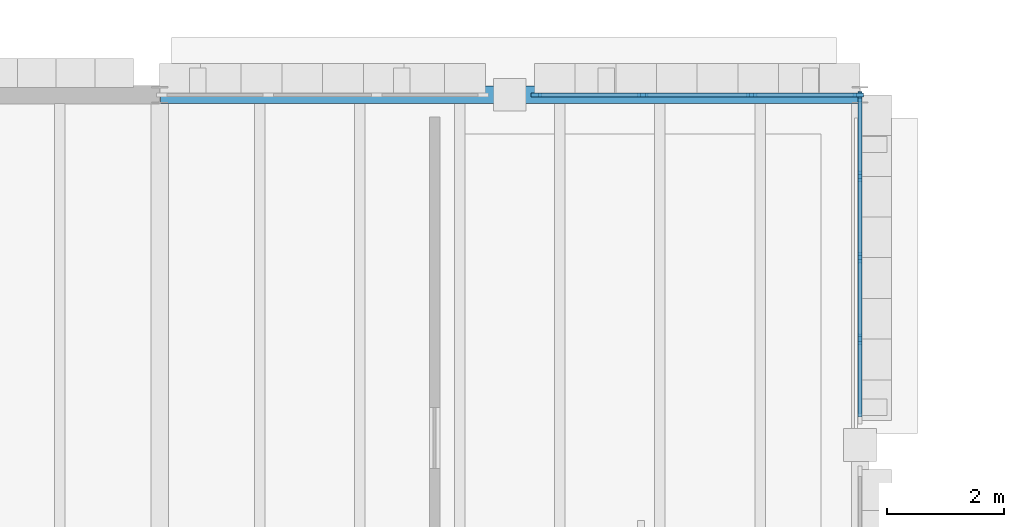
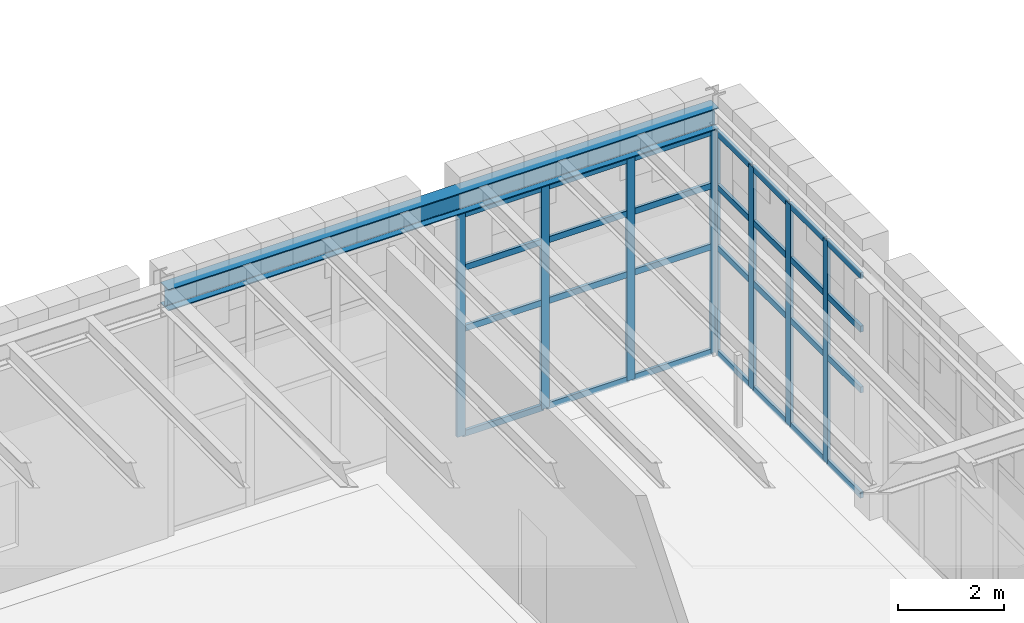
# One storey, part 34 of 83: 36 members, 1 beam, 2 elements without a shape of their own.
"""IFC4 building model written with IfcOpenShell, lengths in metres."""

from ifc_helpers import new_model, si_unit, direction, frame, origin, origin_2d, place, context, subcontext, project, spatial, rectangle, i_section, extrude, material, layer, layer_set, material_profile, profile_set, type_object, element, aggregate, save


model = new_model("IFC4")

# Units and contexts
model_context = context("Model", 3, precision=1e-05, world=origin(), true_north=direction((0.0, 1.0)))
body_context = subcontext(model_context, "Body", "Model", "MODEL_VIEW")
ifc_project = project(units=[si_unit("LENGTHUNIT", "METRE"), si_unit("AREAUNIT", "SQUARE_METRE"), si_unit("VOLUMEUNIT", "CUBIC_METRE"), si_unit("PLANEANGLEUNIT", "RADIAN"), si_unit("MASSUNIT", "GRAM", prefix="KILO")], contexts=[model_context])

# Site, building, storey
site_placement = place(None, origin())
site = spatial("IfcSite", under=ifc_project, at=site_placement, CompositionType="ELEMENT")
building_placement = place(site_placement, origin())
building = spatial("IfcBuilding", under=site, at=building_placement, Name="Zlatogorsky Bluff Art Gallery", CompositionType="ELEMENT")
storey_placement = place(building_placement, frame((0.0, 0.0, 10.800048828125)))
storey = spatial("IfcBuildingStorey", under=building, at=storey_placement, Name="L02", CompositionType="ELEMENT", Elevation=10.800048828125)

# Beam
ifc_material_1 = material(Name="Steel S355", Category="steel")
ifc_material_profile_1 = material_profile(ifc_material_1, i_section(OverallWidth=0.300048828125, OverallDepth=0.489990234375, WebThickness=0.011962890625, FlangeThickness=0.02294921875, FilletRadius=0.027099609375, at=origin_2d()), Name="HEA 500")
ifc_profile_set_1 = profile_set([ifc_material_profile_1], Name="Steel S355")
beam_type = type_object("IfcBeamType", Name="Beam BM-07 HEA 500", PredefinedType="BEAM", material=ifc_profile_set_1)
beam_placement = place(storey_placement, frame((144.014892578125, 108.0, 5.445068359375), z_axis=(1.0, 0.0, 0.0), x_axis=(0.0, 1.0, 0.0)))
element("IfcBeam", 1, at=beam_placement, inside=storey, type_object=beam_type, Name="Primary girder BM-07 L02 N-P/11", PredefinedType="BEAM", context=body_context, shape_type="SweptSolid", body=[
    extrude(i_section(OverallWidth=0.300048828125, OverallDepth=0.489990234375, WebThickness=0.011962890625, FlangeThickness=0.02294921875, FilletRadius=0.027099609375, at=origin_2d()), origin(), (0.0, 0.0, 1.0), 11.97021484375),
])

# Curtain wall, members
ifc_material_2 = material(Name="Anodised Bronze Aluminium and Low-Iron Triple Glazing", Category="aluminium")
ifc_layer_1 = layer(ifc_material_2, 0.219970703125)
ifc_layer_set_1 = layer_set([ifc_layer_1], Name="Curtain Wall CW-04")
curtain_wall_type_1 = type_object("IfcCurtainWallType", Name="Curtain Wall CW-04", PredefinedType="USERDEFINED", material=ifc_layer_set_1)
curtain_wall_1_placement = place(storey_placement, origin())
curtain_wall_1 = element("IfcCurtainWall", 2, at=curtain_wall_1_placement, inside=storey, type_object=curtain_wall_type_1, Name="Unitised curtain wall CW-04 L02 N 12.9-A", ObjectType="CURTAIN WALL", PredefinedType="USERDEFINED")
ifc_material_3 = material(Name="Anodised Bronze Aluminium", Category="aluminium")
ifc_material_profile_2 = material_profile(ifc_material_3, rectangle(XDim=0.06494140625, YDim=0.179931640625, at=origin_2d()), Name="ALU MULLION 65x180")
ifc_profile_set_2 = profile_set([ifc_material_profile_2], Name="Anodised Bronze Aluminium")
member_type_1 = type_object("IfcMemberType", Name="Curtain Mullion ML-01", PredefinedType="MULLION", material=ifc_profile_set_2)
member_1_placement = place(storey_placement, frame((155.967529296875, 108.0, 0.0), z_axis=(0.0, 0.0, 1.0), x_axis=(0.0, -1.0, 0.0)))
member_1 = element("IfcMember", 3, at=member_1_placement, type_object=member_type_1, Name="CW-04 mullion 1", PredefinedType="MULLION", context=body_context, shape_type="SweptSolid", body=[
    extrude(rectangle(XDim=0.06494140625, YDim=0.179931640625, at=origin_2d()), origin(), (0.0, 0.0, 1.0), 5.10986328125),
])
member_2_placement = place(storey_placement, frame((154.139892578125, 108.0, 0.0), z_axis=(0.0, 0.0, 1.0), x_axis=(0.0, -1.0, 0.0)))
member_2 = element("IfcMember", 4, at=member_2_placement, type_object=member_type_1, Name="CW-04 mullion 2", PredefinedType="MULLION", context=body_context, shape_type="SweptSolid", body=[
    extrude(rectangle(XDim=0.06494140625, YDim=0.179931640625, at=origin_2d()), origin(), (0.0, 0.0, 1.0), 5.10986328125),
])
member_3_placement = place(storey_placement, frame((152.280029296875, 108.0, 0.0), z_axis=(0.0, 0.0, 1.0), x_axis=(0.0, -1.0, 0.0)))
member_3 = element("IfcMember", 5, at=member_3_placement, type_object=member_type_1, Name="CW-04 mullion 3", PredefinedType="MULLION", context=body_context, shape_type="SweptSolid", body=[
    extrude(rectangle(XDim=0.06494140625, YDim=0.179931640625, at=origin_2d()), origin(), (0.0, 0.0, 1.0), 5.10986328125),
])
member_4_placement = place(storey_placement, frame((150.452392578125, 108.0, 0.0), z_axis=(0.0, 0.0, 1.0), x_axis=(0.0, -1.0, 0.0)))
member_4 = element("IfcMember", 6, at=member_4_placement, type_object=member_type_1, Name="CW-04 mullion 4", PredefinedType="MULLION", context=body_context, shape_type="SweptSolid", body=[
    extrude(rectangle(XDim=0.06494140625, YDim=0.179931640625, at=origin_2d()), origin(), (0.0, 0.0, 1.0), 5.10986328125),
])

ifc_layer_2 = layer(ifc_material_2, 0.199951171875)
ifc_layer_set_2 = layer_set([ifc_layer_2], Name="Curtain Wall CW-02")
curtain_wall_type_2 = type_object("IfcCurtainWallType", Name="Curtain Wall CW-02", PredefinedType="USERDEFINED", material=ifc_layer_set_2)
curtain_wall_2_placement = place(storey_placement, origin())
curtain_wall_2 = element("IfcCurtainWall", 7, at=curtain_wall_2_placement, inside=storey, type_object=curtain_wall_type_2, Name="Unitised curtain wall CW-02 L02 E 12.9-B", ObjectType="CURTAIN WALL", PredefinedType="USERDEFINED")
member_5_placement = place(storey_placement, frame((156.0, 103.81494140625, 0.0), z_axis=(0.0, 0.0, 1.0), x_axis=(-1.0, 0.0, 0.0)))
member_5 = element("IfcMember", 8, at=member_5_placement, type_object=member_type_1, Name="CW-02 mullion 2", PredefinedType="MULLION", context=body_context, shape_type="SweptSolid", body=[
    extrude(rectangle(XDim=0.06494140625, YDim=0.179931640625, at=origin_2d()), origin(), (0.0, 0.0, 1.0), 5.10986328125),
])
member_6_placement = place(storey_placement, frame((156.0, 105.2099609375, 0.0), z_axis=(0.0, 0.0, 1.0), x_axis=(-1.0, 0.0, 0.0)))
member_6 = element("IfcMember", 9, at=member_6_placement, type_object=member_type_1, Name="CW-02 mullion 3", PredefinedType="MULLION", context=body_context, shape_type="SweptSolid", body=[
    extrude(rectangle(XDim=0.06494140625, YDim=0.179931640625, at=origin_2d()), origin(), (0.0, 0.0, 1.0), 5.10986328125),
])
member_7_placement = place(storey_placement, frame((156.0, 106.60498046875, 0.0), z_axis=(0.0, 0.0, 1.0), x_axis=(-1.0, 0.0, 0.0)))
member_7 = element("IfcMember", 10, at=member_7_placement, type_object=member_type_1, Name="CW-02 mullion 4", PredefinedType="MULLION", context=body_context, shape_type="SweptSolid", body=[
    extrude(rectangle(XDim=0.06494140625, YDim=0.179931640625, at=origin_2d()), origin(), (0.0, 0.0, 1.0), 5.10986328125),
])
member_8_placement = place(storey_placement, frame((156.0, 107.967529296875, 0.0), z_axis=(0.0, 0.0, 1.0), x_axis=(-1.0, 0.0, 0.0)))
member_8 = element("IfcMember", 11, at=member_8_placement, type_object=member_type_1, Name="CW-02 mullion 5", PredefinedType="MULLION", context=body_context, shape_type="SweptSolid", body=[
    extrude(rectangle(XDim=0.06494140625, YDim=0.179931640625, at=origin_2d()), origin(), (0.0, 0.0, 1.0), 5.10986328125),
])

# Member
ifc_material_profile_3 = material_profile(ifc_material_3, rectangle(XDim=0.06494140625, YDim=0.139892578125, at=origin_2d()), Name="ALU TRANSOM 65x140")
ifc_profile_set_3 = profile_set([ifc_material_profile_3], Name="Anodised Bronze Aluminium")
member_type_2 = type_object("IfcMemberType", Name="Curtain Transom TR-01", PredefinedType="USERDEFINED", material=ifc_profile_set_3)
member_9_placement = place(storey_placement, frame((155.93505859375, 108.0, 0.032470703125), z_axis=(-1.0, 0.0, 0.0), x_axis=(0.0, -1.0, 0.0)))
member_9 = element("IfcMember", 12, at=member_9_placement, type_object=member_type_2, Name="CW-04 transom 1.1", ObjectType="TRANSOM", PredefinedType="USERDEFINED", context=body_context, shape_type="SweptSolid", body=[
    extrude(rectangle(XDim=0.06494140625, YDim=0.139892578125, at=origin_2d()), origin(), (0.0, 0.0, 1.0), 1.762451171875),
])

member_10_placement = place(storey_placement, frame((155.93505859375, 108.0, 2.449951171875), z_axis=(-1.0, 0.0, 0.0), x_axis=(0.0, -1.0, 0.0)))
member_10 = element("IfcMember", 13, at=member_10_placement, type_object=member_type_2, Name="CW-04 transom 1.2", ObjectType="TRANSOM", PredefinedType="USERDEFINED", context=body_context, shape_type="SweptSolid", body=[
    extrude(rectangle(XDim=0.06494140625, YDim=0.139892578125, at=origin_2d()), origin(), (0.0, 0.0, 1.0), 1.762451171875),
])

member_11_placement = place(storey_placement, frame((155.93505859375, 108.0, 3.849853515625), z_axis=(-1.0, 0.0, 0.0), x_axis=(0.0, -1.0, 0.0)))
member_11 = element("IfcMember", 14, at=member_11_placement, type_object=member_type_2, Name="CW-04 transom 1.3", ObjectType="TRANSOM", PredefinedType="USERDEFINED", context=body_context, shape_type="SweptSolid", body=[
    extrude(rectangle(XDim=0.06494140625, YDim=0.139892578125, at=origin_2d()), origin(), (0.0, 0.0, 1.0), 1.762451171875),
])

member_12_placement = place(storey_placement, frame((155.93505859375, 108.0, 5.077392578125), z_axis=(-1.0, 0.0, 0.0), x_axis=(0.0, -1.0, 0.0)))
member_12 = element("IfcMember", 15, at=member_12_placement, type_object=member_type_2, Name="CW-04 transom 1.4", ObjectType="TRANSOM", PredefinedType="USERDEFINED", context=body_context, shape_type="SweptSolid", body=[
    extrude(rectangle(XDim=0.06494140625, YDim=0.139892578125, at=origin_2d()), origin(), (0.0, 0.0, 1.0), 1.762451171875),
])

member_13_placement = place(storey_placement, frame((154.107421875, 108.0, 0.032470703125), z_axis=(-1.0, 0.0, 0.0), x_axis=(0.0, -1.0, 0.0)))
member_13 = element("IfcMember", 16, at=member_13_placement, type_object=member_type_2, Name="CW-04 transom 2.1", ObjectType="TRANSOM", PredefinedType="USERDEFINED", context=body_context, shape_type="SweptSolid", body=[
    extrude(rectangle(XDim=0.06494140625, YDim=0.139892578125, at=origin_2d()), origin(), (0.0, 0.0, 1.0), 1.794921875),
])

member_14_placement = place(storey_placement, frame((154.107421875, 108.0, 2.449951171875), z_axis=(-1.0, 0.0, 0.0), x_axis=(0.0, -1.0, 0.0)))
member_14 = element("IfcMember", 17, at=member_14_placement, type_object=member_type_2, Name="CW-04 transom 2.2", ObjectType="TRANSOM", PredefinedType="USERDEFINED", context=body_context, shape_type="SweptSolid", body=[
    extrude(rectangle(XDim=0.06494140625, YDim=0.139892578125, at=origin_2d()), origin(), (0.0, 0.0, 1.0), 1.794921875),
])

member_15_placement = place(storey_placement, frame((154.107421875, 108.0, 3.849853515625), z_axis=(-1.0, 0.0, 0.0), x_axis=(0.0, -1.0, 0.0)))
member_15 = element("IfcMember", 18, at=member_15_placement, type_object=member_type_2, Name="CW-04 transom 2.3", ObjectType="TRANSOM", PredefinedType="USERDEFINED", context=body_context, shape_type="SweptSolid", body=[
    extrude(rectangle(XDim=0.06494140625, YDim=0.139892578125, at=origin_2d()), origin(), (0.0, 0.0, 1.0), 1.794921875),
])

member_16_placement = place(storey_placement, frame((154.107421875, 108.0, 5.077392578125), z_axis=(-1.0, 0.0, 0.0), x_axis=(0.0, -1.0, 0.0)))
member_16 = element("IfcMember", 19, at=member_16_placement, type_object=member_type_2, Name="CW-04 transom 2.4", ObjectType="TRANSOM", PredefinedType="USERDEFINED", context=body_context, shape_type="SweptSolid", body=[
    extrude(rectangle(XDim=0.06494140625, YDim=0.139892578125, at=origin_2d()), origin(), (0.0, 0.0, 1.0), 1.794921875),
])

member_17_placement = place(storey_placement, frame((152.24755859375, 108.0, 0.032470703125), z_axis=(-1.0, 0.0, 0.0), x_axis=(0.0, -1.0, 0.0)))
member_17 = element("IfcMember", 20, at=member_17_placement, type_object=member_type_2, Name="CW-04 transom 3.1", ObjectType="TRANSOM", PredefinedType="USERDEFINED", context=body_context, shape_type="SweptSolid", body=[
    extrude(rectangle(XDim=0.06494140625, YDim=0.139892578125, at=origin_2d()), origin(), (0.0, 0.0, 1.0), 1.762451171875),
])

member_18_placement = place(storey_placement, frame((152.24755859375, 108.0, 2.449951171875), z_axis=(-1.0, 0.0, 0.0), x_axis=(0.0, -1.0, 0.0)))
member_18 = element("IfcMember", 21, at=member_18_placement, type_object=member_type_2, Name="CW-04 transom 3.2", ObjectType="TRANSOM", PredefinedType="USERDEFINED", context=body_context, shape_type="SweptSolid", body=[
    extrude(rectangle(XDim=0.06494140625, YDim=0.139892578125, at=origin_2d()), origin(), (0.0, 0.0, 1.0), 1.762451171875),
])

member_19_placement = place(storey_placement, frame((152.24755859375, 108.0, 3.849853515625), z_axis=(-1.0, 0.0, 0.0), x_axis=(0.0, -1.0, 0.0)))
member_19 = element("IfcMember", 22, at=member_19_placement, type_object=member_type_2, Name="CW-04 transom 3.3", ObjectType="TRANSOM", PredefinedType="USERDEFINED", context=body_context, shape_type="SweptSolid", body=[
    extrude(rectangle(XDim=0.06494140625, YDim=0.139892578125, at=origin_2d()), origin(), (0.0, 0.0, 1.0), 1.762451171875),
])

member_20_placement = place(storey_placement, frame((152.24755859375, 108.0, 5.077392578125), z_axis=(-1.0, 0.0, 0.0), x_axis=(0.0, -1.0, 0.0)))
member_20 = element("IfcMember", 23, at=member_20_placement, type_object=member_type_2, Name="CW-04 transom 3.4", ObjectType="TRANSOM", PredefinedType="USERDEFINED", context=body_context, shape_type="SweptSolid", body=[
    extrude(rectangle(XDim=0.06494140625, YDim=0.139892578125, at=origin_2d()), origin(), (0.0, 0.0, 1.0), 1.762451171875),
])

aggregate(curtain_wall_1, [member_1, member_2, member_3, member_4, member_9, member_10, member_11, member_12, member_13, member_14, member_15, member_16, member_17, member_18, member_19, member_20])

member_21_placement = place(storey_placement, frame((156.0, 102.485107421875, 0.032470703125), z_axis=(0.0, 1.0, 0.0), x_axis=(-1.0, 0.0, 0.0)))
member_21 = element("IfcMember", 24, at=member_21_placement, type_object=member_type_2, Name="CW-02 transom 1.1", ObjectType="TRANSOM", PredefinedType="USERDEFINED", context=body_context, shape_type="SweptSolid", body=[
    extrude(rectangle(XDim=0.06494140625, YDim=0.139892578125, at=origin_2d()), origin(), (0.0, 0.0, 1.0), 1.29736328125),
])

member_22_placement = place(storey_placement, frame((156.0, 102.485107421875, 2.449951171875), z_axis=(0.0, 1.0, 0.0), x_axis=(-1.0, 0.0, 0.0)))
member_22 = element("IfcMember", 25, at=member_22_placement, type_object=member_type_2, Name="CW-02 transom 1.2", ObjectType="TRANSOM", PredefinedType="USERDEFINED", context=body_context, shape_type="SweptSolid", body=[
    extrude(rectangle(XDim=0.06494140625, YDim=0.139892578125, at=origin_2d()), origin(), (0.0, 0.0, 1.0), 1.29736328125),
])

member_23_placement = place(storey_placement, frame((156.0, 102.485107421875, 3.849853515625), z_axis=(0.0, 1.0, 0.0), x_axis=(-1.0, 0.0, 0.0)))
member_23 = element("IfcMember", 26, at=member_23_placement, type_object=member_type_2, Name="CW-02 transom 1.3", ObjectType="TRANSOM", PredefinedType="USERDEFINED", context=body_context, shape_type="SweptSolid", body=[
    extrude(rectangle(XDim=0.06494140625, YDim=0.139892578125, at=origin_2d()), origin(), (0.0, 0.0, 1.0), 1.29736328125),
])

member_24_placement = place(storey_placement, frame((156.0, 102.485107421875, 5.077392578125), z_axis=(0.0, 1.0, 0.0), x_axis=(-1.0, 0.0, 0.0)))
member_24 = element("IfcMember", 27, at=member_24_placement, type_object=member_type_2, Name="CW-02 transom 1.4", ObjectType="TRANSOM", PredefinedType="USERDEFINED", context=body_context, shape_type="SweptSolid", body=[
    extrude(rectangle(XDim=0.06494140625, YDim=0.139892578125, at=origin_2d()), origin(), (0.0, 0.0, 1.0), 1.29736328125),
])

member_25_placement = place(storey_placement, frame((156.0, 103.847412109375, 0.032470703125), z_axis=(0.0, 1.0, 0.0), x_axis=(-1.0, 0.0, 0.0)))
member_25 = element("IfcMember", 28, at=member_25_placement, type_object=member_type_2, Name="CW-02 transom 2.1", ObjectType="TRANSOM", PredefinedType="USERDEFINED", context=body_context, shape_type="SweptSolid", body=[
    extrude(rectangle(XDim=0.06494140625, YDim=0.139892578125, at=origin_2d()), origin(), (0.0, 0.0, 1.0), 1.330078125),
])

member_26_placement = place(storey_placement, frame((156.0, 103.847412109375, 2.449951171875), z_axis=(0.0, 1.0, 0.0), x_axis=(-1.0, 0.0, 0.0)))
member_26 = element("IfcMember", 29, at=member_26_placement, type_object=member_type_2, Name="CW-02 transom 2.2", ObjectType="TRANSOM", PredefinedType="USERDEFINED", context=body_context, shape_type="SweptSolid", body=[
    extrude(rectangle(XDim=0.06494140625, YDim=0.139892578125, at=origin_2d()), origin(), (0.0, 0.0, 1.0), 1.330078125),
])

member_27_placement = place(storey_placement, frame((156.0, 103.847412109375, 3.849853515625), z_axis=(0.0, 1.0, 0.0), x_axis=(-1.0, 0.0, 0.0)))
member_27 = element("IfcMember", 30, at=member_27_placement, type_object=member_type_2, Name="CW-02 transom 2.3", ObjectType="TRANSOM", PredefinedType="USERDEFINED", context=body_context, shape_type="SweptSolid", body=[
    extrude(rectangle(XDim=0.06494140625, YDim=0.139892578125, at=origin_2d()), origin(), (0.0, 0.0, 1.0), 1.330078125),
])

member_28_placement = place(storey_placement, frame((156.0, 103.847412109375, 5.077392578125), z_axis=(0.0, 1.0, 0.0), x_axis=(-1.0, 0.0, 0.0)))
member_28 = element("IfcMember", 31, at=member_28_placement, type_object=member_type_2, Name="CW-02 transom 2.4", ObjectType="TRANSOM", PredefinedType="USERDEFINED", context=body_context, shape_type="SweptSolid", body=[
    extrude(rectangle(XDim=0.06494140625, YDim=0.139892578125, at=origin_2d()), origin(), (0.0, 0.0, 1.0), 1.330078125),
])

member_29_placement = place(storey_placement, frame((156.0, 105.242431640625, 0.032470703125), z_axis=(0.0, 1.0, 0.0), x_axis=(-1.0, 0.0, 0.0)))
member_29 = element("IfcMember", 32, at=member_29_placement, type_object=member_type_2, Name="CW-02 transom 3.1", ObjectType="TRANSOM", PredefinedType="USERDEFINED", context=body_context, shape_type="SweptSolid", body=[
    extrude(rectangle(XDim=0.06494140625, YDim=0.139892578125, at=origin_2d()), origin(), (0.0, 0.0, 1.0), 1.330078125),
])

member_30_placement = place(storey_placement, frame((156.0, 105.242431640625, 2.449951171875), z_axis=(0.0, 1.0, 0.0), x_axis=(-1.0, 0.0, 0.0)))
member_30 = element("IfcMember", 33, at=member_30_placement, type_object=member_type_2, Name="CW-02 transom 3.2", ObjectType="TRANSOM", PredefinedType="USERDEFINED", context=body_context, shape_type="SweptSolid", body=[
    extrude(rectangle(XDim=0.06494140625, YDim=0.139892578125, at=origin_2d()), origin(), (0.0, 0.0, 1.0), 1.330078125),
])

member_31_placement = place(storey_placement, frame((156.0, 105.242431640625, 3.849853515625), z_axis=(0.0, 1.0, 0.0), x_axis=(-1.0, 0.0, 0.0)))
member_31 = element("IfcMember", 34, at=member_31_placement, type_object=member_type_2, Name="CW-02 transom 3.3", ObjectType="TRANSOM", PredefinedType="USERDEFINED", context=body_context, shape_type="SweptSolid", body=[
    extrude(rectangle(XDim=0.06494140625, YDim=0.139892578125, at=origin_2d()), origin(), (0.0, 0.0, 1.0), 1.330078125),
])

member_32_placement = place(storey_placement, frame((156.0, 105.242431640625, 5.077392578125), z_axis=(0.0, 1.0, 0.0), x_axis=(-1.0, 0.0, 0.0)))
member_32 = element("IfcMember", 35, at=member_32_placement, type_object=member_type_2, Name="CW-02 transom 3.4", ObjectType="TRANSOM", PredefinedType="USERDEFINED", context=body_context, shape_type="SweptSolid", body=[
    extrude(rectangle(XDim=0.06494140625, YDim=0.139892578125, at=origin_2d()), origin(), (0.0, 0.0, 1.0), 1.330078125),
])

member_33_placement = place(storey_placement, frame((156.0, 106.637451171875, 0.032470703125), z_axis=(0.0, 1.0, 0.0), x_axis=(-1.0, 0.0, 0.0)))
member_33 = element("IfcMember", 36, at=member_33_placement, type_object=member_type_2, Name="CW-02 transom 4.1", ObjectType="TRANSOM", PredefinedType="USERDEFINED", context=body_context, shape_type="SweptSolid", body=[
    extrude(rectangle(XDim=0.06494140625, YDim=0.139892578125, at=origin_2d()), origin(), (0.0, 0.0, 1.0), 1.297607421875),
])

member_34_placement = place(storey_placement, frame((156.0, 106.637451171875, 2.449951171875), z_axis=(0.0, 1.0, 0.0), x_axis=(-1.0, 0.0, 0.0)))
member_34 = element("IfcMember", 37, at=member_34_placement, type_object=member_type_2, Name="CW-02 transom 4.2", ObjectType="TRANSOM", PredefinedType="USERDEFINED", context=body_context, shape_type="SweptSolid", body=[
    extrude(rectangle(XDim=0.06494140625, YDim=0.139892578125, at=origin_2d()), origin(), (0.0, 0.0, 1.0), 1.297607421875),
])

member_35_placement = place(storey_placement, frame((156.0, 106.637451171875, 3.849853515625), z_axis=(0.0, 1.0, 0.0), x_axis=(-1.0, 0.0, 0.0)))
member_35 = element("IfcMember", 38, at=member_35_placement, type_object=member_type_2, Name="CW-02 transom 4.3", ObjectType="TRANSOM", PredefinedType="USERDEFINED", context=body_context, shape_type="SweptSolid", body=[
    extrude(rectangle(XDim=0.06494140625, YDim=0.139892578125, at=origin_2d()), origin(), (0.0, 0.0, 1.0), 1.297607421875),
])

member_36_placement = place(storey_placement, frame((156.0, 106.637451171875, 5.077392578125), z_axis=(0.0, 1.0, 0.0), x_axis=(-1.0, 0.0, 0.0)))
member_36 = element("IfcMember", 39, at=member_36_placement, type_object=member_type_2, Name="CW-02 transom 4.4", ObjectType="TRANSOM", PredefinedType="USERDEFINED", context=body_context, shape_type="SweptSolid", body=[
    extrude(rectangle(XDim=0.06494140625, YDim=0.139892578125, at=origin_2d()), origin(), (0.0, 0.0, 1.0), 1.297607421875),
])

aggregate(curtain_wall_2, [member_5, member_6, member_7, member_8, member_21, member_22, member_23, member_24, member_25, member_26, member_27, member_28, member_29, member_30, member_31, member_32, member_33, member_34, member_35, member_36])

save(model, "model.ifc")
